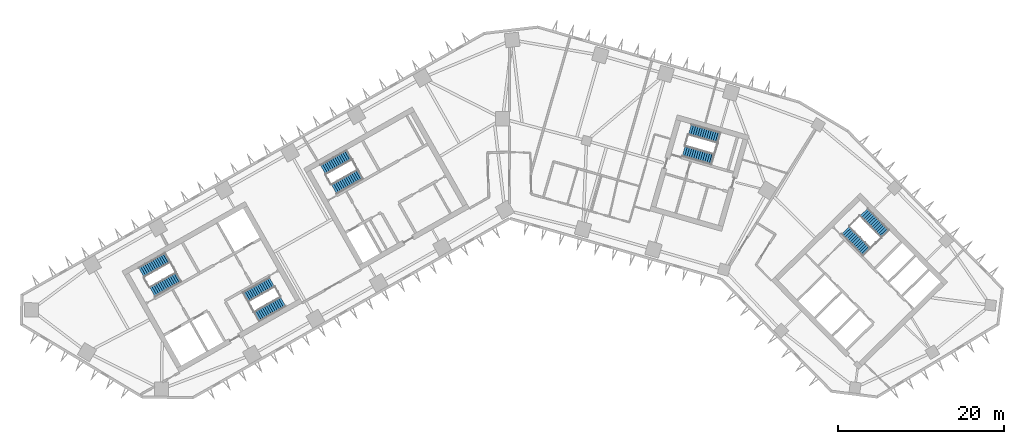
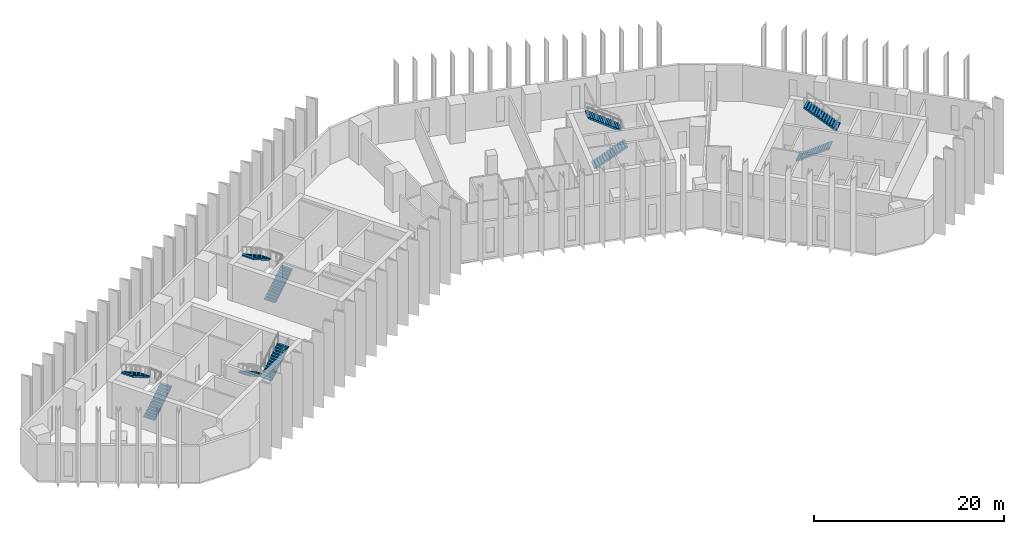
# One storey, part 8 of 11: 10 stair flights, 5 elements without a shape of their own.
"""IFC4 building model written with IfcOpenShell, lengths in metres."""

from ifc_helpers import new_model, si_unit, direction, frame, origin, place, context, subcontext, project, spatial, polyline, outline, extrude, material, type_object, element, aggregate, save


model = new_model("IFC4")

# Units and contexts
model_context = context("Model", 3, precision=1e-05, world=origin(), true_north=direction((0.0, 1.0)))
body_context = subcontext(model_context, "Body", "Model", "MODEL_VIEW")
ifc_project = project(units=[si_unit("LENGTHUNIT", "METRE"), si_unit("AREAUNIT", "SQUARE_METRE"), si_unit("VOLUMEUNIT", "CUBIC_METRE"), si_unit("PLANEANGLEUNIT", "RADIAN"), si_unit("MASSUNIT", "GRAM", prefix="KILO")], contexts=[model_context])

# Site, building, storey
site_placement = place(None, origin())
site = spatial("IfcSite", under=ifc_project, at=site_placement, CompositionType="ELEMENT")
building_placement = place(site_placement, origin())
building = spatial("IfcBuilding", under=site, at=building_placement, Name="Binnacle Exchange Tower", CompositionType="ELEMENT")
storey_placement = place(building_placement, frame((0.0, 0.0, 76.5)))
storey = spatial("IfcBuildingStorey", under=building, at=storey_placement, Name="L15", CompositionType="ELEMENT", Elevation=76.5)

# Stair, stair flights
ifc_material = material(Name="Concrete C35/45", Category="concrete")
stair_type = type_object("IfcStairType", Name="STAIR 28 RISERS 179", PredefinedType="HALF_TURN_STAIR", material=ifc_material)
stair_1_placement = place(storey_placement, origin())
stair_1 = element("IfcStair", 1, at=stair_1_placement, inside=storey, type_object=stair_type, Name="L15 Escape stair A1", PredefinedType="HALF_TURN_STAIR")
stair_flight_type = type_object("IfcStairFlightType", Name="STAIR FLIGHT 179X280", PredefinedType="STRAIGHT", material=ifc_material)
stair_flight_1_placement = place(storey_placement, frame((-42.9541015625, 39.17333984375, 0.0), z_axis=(0.0, 0.0, 1.0), x_axis=(0.870355584213, 0.492423757581, 0.0)))
stair_flight_1 = element("IfcStairFlight", 2, at=stair_flight_1_placement, type_object=stair_flight_type, Name="STA1 flight 1", NumberOfRisers=14, NumberOfTreads=13, PredefinedType="STRAIGHT", RiserHeight=0.178571429, TreadLength=0.28, context=body_context, shape_type="SweptSolid", body=[
    extrude(outline(polyline([(0.0, 0.0), (0.0, 0.178466796875), (0.280029296875, 0.178466796875), (0.280029296875, 0.357177734375), (0.56005859375, 0.357177734375), (0.56005859375, 0.53564453125), (0.840087890625, 0.53564453125), (0.840087890625, 0.71435546875), (1.1201171875, 0.71435546875), (1.1201171875, 0.892822265625), (1.39990234375, 0.892822265625), (1.39990234375, 1.071533203125), (1.679931640625, 1.071533203125), (1.679931640625, 1.25), (1.9599609375, 1.25), (1.9599609375, 1.428466796875), (2.239990234375, 1.428466796875), (2.239990234375, 1.607177734375), (2.52001953125, 1.607177734375), (2.52001953125, 1.78564453125), (2.800048828125, 1.78564453125), (2.800048828125, 1.96435546875), (3.080078125, 1.96435546875), (3.080078125, 2.142822265625), (3.360107421875, 2.142822265625), (3.360107421875, 2.321533203125), (3.639892578125, 2.321533203125), (3.639892578125, 2.5), (3.639892578125, 2.1435546875), (0.27880859375, 0.0), (0.0, 0.0)])), frame((0.0, 0.675048828125, 0.0), z_axis=(0.0, -1.0, 0.0), x_axis=(1.0, 0.0, 0.0)), (0.0, 0.0, 1.0), 1.35009765625),
])
stair_flight_2_placement = place(storey_placement, frame((-41.115478515625, 43.315673828125, 2.5), z_axis=(0.0, 0.0, 1.0), x_axis=(-0.870355584213, -0.492423757581, 0.0)))
stair_flight_2 = element("IfcStairFlight", 3, at=stair_flight_2_placement, type_object=stair_flight_type, Name="STA1 flight 2", NumberOfRisers=14, NumberOfTreads=13, PredefinedType="STRAIGHT", RiserHeight=0.178571429, TreadLength=0.28, context=body_context, shape_type="SweptSolid", body=[
    extrude(outline(polyline([(0.0, 0.0), (0.0, 0.178466796875), (0.280029296875, 0.178466796875), (0.280029296875, 0.357177734375), (0.56005859375, 0.357177734375), (0.56005859375, 0.53564453125), (0.840087890625, 0.53564453125), (0.840087890625, 0.71435546875), (1.1201171875, 0.71435546875), (1.1201171875, 0.892822265625), (1.39990234375, 0.892822265625), (1.39990234375, 1.071533203125), (1.679931640625, 1.071533203125), (1.679931640625, 1.25), (1.9599609375, 1.25), (1.9599609375, 1.428466796875), (2.239990234375, 1.428466796875), (2.239990234375, 1.607177734375), (2.52001953125, 1.607177734375), (2.52001953125, 1.78564453125), (2.800048828125, 1.78564453125), (2.800048828125, 1.96435546875), (3.080078125, 1.96435546875), (3.080078125, 2.142822265625), (3.360107421875, 2.142822265625), (3.360107421875, 2.321533203125), (3.639892578125, 2.321533203125), (3.639892578125, 2.5), (3.639892578125, 2.1435546875), (0.27880859375, 0.0), (0.0, 0.0)])), frame((0.0, 0.675048828125, 0.0), z_axis=(0.0, -1.0, 0.0), x_axis=(1.0, 0.0, 0.0)), (0.0, 0.0, 1.0), 1.35009765625),
])
aggregate(stair_1, [stair_flight_1, stair_flight_2])

stair_2_placement = place(storey_placement, origin())
stair_2 = element("IfcStair", 4, at=stair_2_placement, inside=storey, type_object=stair_type, Name="L15 Escape stair A2", PredefinedType="HALF_TURN_STAIR")
stair_flight_3_placement = place(storey_placement, frame((-28.5732421875, 40.3583984375, 0.0), z_axis=(0.0, 0.0, 1.0), x_axis=(-0.870355584213, -0.492423757581, 0.0)))
stair_flight_3 = element("IfcStairFlight", 5, at=stair_flight_3_placement, type_object=stair_flight_type, Name="STA2 flight 1", NumberOfRisers=14, NumberOfTreads=13, PredefinedType="STRAIGHT", RiserHeight=0.178571429, TreadLength=0.28, context=body_context, shape_type="SweptSolid", body=[
    extrude(outline(polyline([(0.0, 0.0), (0.0, 0.178466796875), (0.280029296875, 0.178466796875), (0.280029296875, 0.357177734375), (0.56005859375, 0.357177734375), (0.56005859375, 0.53564453125), (0.840087890625, 0.53564453125), (0.840087890625, 0.71435546875), (1.1201171875, 0.71435546875), (1.1201171875, 0.892822265625), (1.39990234375, 0.892822265625), (1.39990234375, 1.071533203125), (1.679931640625, 1.071533203125), (1.679931640625, 1.25), (1.9599609375, 1.25), (1.9599609375, 1.428466796875), (2.239990234375, 1.428466796875), (2.239990234375, 1.607177734375), (2.52001953125, 1.607177734375), (2.52001953125, 1.78564453125), (2.800048828125, 1.78564453125), (2.800048828125, 1.96435546875), (3.080078125, 1.96435546875), (3.080078125, 2.142822265625), (3.360107421875, 2.142822265625), (3.360107421875, 2.321533203125), (3.639892578125, 2.321533203125), (3.639892578125, 2.5), (3.639892578125, 2.1435546875), (0.27880859375, 0.0), (0.0, 0.0)])), frame((0.0, 0.675048828125, 0.0), z_axis=(0.0, -1.0, 0.0), x_axis=(1.0, 0.0, 0.0)), (0.0, 0.0, 1.0), 1.35009765625),
])
stair_flight_4_placement = place(storey_placement, frame((-30.411865234375, 36.216064453125, 2.5), z_axis=(0.0, 0.0, 1.0), x_axis=(0.870355584213, 0.492423757581, 0.0)))
stair_flight_4 = element("IfcStairFlight", 6, at=stair_flight_4_placement, type_object=stair_flight_type, Name="STA2 flight 2", NumberOfRisers=14, NumberOfTreads=13, PredefinedType="STRAIGHT", RiserHeight=0.178571429, TreadLength=0.28, context=body_context, shape_type="SweptSolid", body=[
    extrude(outline(polyline([(0.0, 0.0), (0.0, 0.178466796875), (0.280029296875, 0.178466796875), (0.280029296875, 0.357177734375), (0.56005859375, 0.357177734375), (0.56005859375, 0.53564453125), (0.840087890625, 0.53564453125), (0.840087890625, 0.71435546875), (1.1201171875, 0.71435546875), (1.1201171875, 0.892822265625), (1.39990234375, 0.892822265625), (1.39990234375, 1.071533203125), (1.679931640625, 1.071533203125), (1.679931640625, 1.25), (1.9599609375, 1.25), (1.9599609375, 1.428466796875), (2.239990234375, 1.428466796875), (2.239990234375, 1.607177734375), (2.52001953125, 1.607177734375), (2.52001953125, 1.78564453125), (2.800048828125, 1.78564453125), (2.800048828125, 1.96435546875), (3.080078125, 1.96435546875), (3.080078125, 2.142822265625), (3.360107421875, 2.142822265625), (3.360107421875, 2.321533203125), (3.639892578125, 2.321533203125), (3.639892578125, 2.5), (3.639892578125, 2.1435546875), (0.27880859375, 0.0), (0.0, 0.0)])), frame((0.0, 0.675048828125, 0.0), z_axis=(0.0, -1.0, 0.0), x_axis=(1.0, 0.0, 0.0)), (0.0, 0.0, 1.0), 1.35009765625),
])
aggregate(stair_2, [stair_flight_3, stair_flight_4])

stair_3_placement = place(storey_placement, origin())
stair_3 = element("IfcStair", 7, at=stair_3_placement, inside=storey, type_object=stair_type, Name="L15 Escape stair B1", PredefinedType="HALF_TURN_STAIR")
stair_flight_5_placement = place(storey_placement, frame((40.376708984375, 46.608642578125, 0.0), z_axis=(0.0, 0.0, 1.0), x_axis=(0.70090935144, -0.713250363522, 0.0)))
stair_flight_5 = element("IfcStairFlight", 8, at=stair_flight_5_placement, type_object=stair_flight_type, Name="STB1 flight 1", NumberOfRisers=14, NumberOfTreads=13, PredefinedType="STRAIGHT", RiserHeight=0.178571429, TreadLength=0.28, context=body_context, shape_type="SweptSolid", body=[
    extrude(outline(polyline([(0.0, 0.0), (0.0, 0.178466796875), (0.280029296875, 0.178466796875), (0.280029296875, 0.357177734375), (0.56005859375, 0.357177734375), (0.56005859375, 0.53564453125), (0.840087890625, 0.53564453125), (0.840087890625, 0.71435546875), (1.1201171875, 0.71435546875), (1.1201171875, 0.892822265625), (1.39990234375, 0.892822265625), (1.39990234375, 1.071533203125), (1.679931640625, 1.071533203125), (1.679931640625, 1.25), (1.9599609375, 1.25), (1.9599609375, 1.428466796875), (2.239990234375, 1.428466796875), (2.239990234375, 1.607177734375), (2.52001953125, 1.607177734375), (2.52001953125, 1.78564453125), (2.800048828125, 1.78564453125), (2.800048828125, 1.96435546875), (3.080078125, 1.96435546875), (3.080078125, 2.142822265625), (3.360107421875, 2.142822265625), (3.360107421875, 2.321533203125), (3.639892578125, 2.321533203125), (3.639892578125, 2.5), (3.639892578125, 2.1435546875), (0.27880859375, 0.0), (0.0, 0.0)])), frame((0.0, 0.675048828125, 0.0), z_axis=(0.0, -1.0, 0.0), x_axis=(1.0, 0.0, 0.0)), (0.0, 0.0, 1.0), 1.35009765625),
])
stair_flight_6_placement = place(storey_placement, frame((45.13916015625, 46.185302734375, 2.5), z_axis=(0.0, 0.0, 1.0), x_axis=(-0.70090935144, 0.713250363522, 0.0)))
stair_flight_6 = element("IfcStairFlight", 9, at=stair_flight_6_placement, type_object=stair_flight_type, Name="STB1 flight 2", NumberOfRisers=14, NumberOfTreads=13, PredefinedType="STRAIGHT", RiserHeight=0.178571429, TreadLength=0.28, context=body_context, shape_type="SweptSolid", body=[
    extrude(outline(polyline([(0.0, 0.0), (0.0, 0.178466796875), (0.280029296875, 0.178466796875), (0.280029296875, 0.357177734375), (0.56005859375, 0.357177734375), (0.56005859375, 0.53564453125), (0.840087890625, 0.53564453125), (0.840087890625, 0.71435546875), (1.1201171875, 0.71435546875), (1.1201171875, 0.892822265625), (1.39990234375, 0.892822265625), (1.39990234375, 1.071533203125), (1.679931640625, 1.071533203125), (1.679931640625, 1.25), (1.9599609375, 1.25), (1.9599609375, 1.428466796875), (2.239990234375, 1.428466796875), (2.239990234375, 1.607177734375), (2.52001953125, 1.607177734375), (2.52001953125, 1.78564453125), (2.800048828125, 1.78564453125), (2.800048828125, 1.96435546875), (3.080078125, 1.96435546875), (3.080078125, 2.142822265625), (3.360107421875, 2.142822265625), (3.360107421875, 2.321533203125), (3.639892578125, 2.321533203125), (3.639892578125, 2.5), (3.639892578125, 2.1435546875), (0.27880859375, 0.0), (0.0, 0.0)])), frame((0.0, 0.675048828125, 0.0), z_axis=(0.0, -1.0, 0.0), x_axis=(1.0, 0.0, 0.0)), (0.0, 0.0, 1.0), 1.35009765625),
])
aggregate(stair_3, [stair_flight_5, stair_flight_6])

stair_4_placement = place(storey_placement, origin())
stair_4 = element("IfcStair", 10, at=stair_4_placement, inside=storey, type_object=stair_type, Name="L15 Escape stair C1", PredefinedType="HALF_TURN_STAIR")
stair_flight_7_placement = place(storey_placement, frame((-21.115966796875, 51.528564453125, 0.0), z_axis=(0.0, 0.0, 1.0), x_axis=(0.870355584213, 0.492423757581, 0.0)))
stair_flight_7 = element("IfcStairFlight", 11, at=stair_flight_7_placement, type_object=stair_flight_type, Name="STC1 flight 1", NumberOfRisers=14, NumberOfTreads=13, PredefinedType="STRAIGHT", RiserHeight=0.178571429, TreadLength=0.28, context=body_context, shape_type="SweptSolid", body=[
    extrude(outline(polyline([(0.0, 0.0), (0.0, 0.178466796875), (0.280029296875, 0.178466796875), (0.280029296875, 0.357177734375), (0.56005859375, 0.357177734375), (0.56005859375, 0.53564453125), (0.840087890625, 0.53564453125), (0.840087890625, 0.71435546875), (1.1201171875, 0.71435546875), (1.1201171875, 0.892822265625), (1.39990234375, 0.892822265625), (1.39990234375, 1.071533203125), (1.679931640625, 1.071533203125), (1.679931640625, 1.25), (1.9599609375, 1.25), (1.9599609375, 1.428466796875), (2.239990234375, 1.428466796875), (2.239990234375, 1.607177734375), (2.52001953125, 1.607177734375), (2.52001953125, 1.78564453125), (2.800048828125, 1.78564453125), (2.800048828125, 1.96435546875), (3.080078125, 1.96435546875), (3.080078125, 2.142822265625), (3.360107421875, 2.142822265625), (3.360107421875, 2.321533203125), (3.639892578125, 2.321533203125), (3.639892578125, 2.5), (3.639892578125, 2.1435546875), (0.27880859375, 0.0), (0.0, 0.0)])), frame((0.0, 0.675048828125, 0.0), z_axis=(0.0, -1.0, 0.0), x_axis=(1.0, 0.0, 0.0)), (0.0, 0.0, 1.0), 1.35009765625),
])
stair_flight_8_placement = place(storey_placement, frame((-19.27734375, 55.671142578125, 2.5), z_axis=(0.0, 0.0, 1.0), x_axis=(-0.870355584213, -0.492423757581, 0.0)))
stair_flight_8 = element("IfcStairFlight", 12, at=stair_flight_8_placement, type_object=stair_flight_type, Name="STC1 flight 2", NumberOfRisers=14, NumberOfTreads=13, PredefinedType="STRAIGHT", RiserHeight=0.178571429, TreadLength=0.28, context=body_context, shape_type="SweptSolid", body=[
    extrude(outline(polyline([(0.0, 0.0), (0.0, 0.178466796875), (0.280029296875, 0.178466796875), (0.280029296875, 0.357177734375), (0.56005859375, 0.357177734375), (0.56005859375, 0.53564453125), (0.840087890625, 0.53564453125), (0.840087890625, 0.71435546875), (1.1201171875, 0.71435546875), (1.1201171875, 0.892822265625), (1.39990234375, 0.892822265625), (1.39990234375, 1.071533203125), (1.679931640625, 1.071533203125), (1.679931640625, 1.25), (1.9599609375, 1.25), (1.9599609375, 1.428466796875), (2.239990234375, 1.428466796875), (2.239990234375, 1.607177734375), (2.52001953125, 1.607177734375), (2.52001953125, 1.78564453125), (2.800048828125, 1.78564453125), (2.800048828125, 1.96435546875), (3.080078125, 1.96435546875), (3.080078125, 2.142822265625), (3.360107421875, 2.142822265625), (3.360107421875, 2.321533203125), (3.639892578125, 2.321533203125), (3.639892578125, 2.5), (3.639892578125, 2.1435546875), (0.27880859375, 0.0), (0.0, 0.0)])), frame((0.0, 0.675048828125, 0.0), z_axis=(0.0, -1.0, 0.0), x_axis=(1.0, 0.0, 0.0)), (0.0, 0.0, 1.0), 1.35009765625),
])
aggregate(stair_4, [stair_flight_7, stair_flight_8])

stair_5_placement = place(storey_placement, origin())
stair_5 = element("IfcStair", 13, at=stair_5_placement, inside=storey, type_object=stair_type, Name="L15 Escape stair D1", PredefinedType="HALF_TURN_STAIR")
stair_flight_9_placement = place(storey_placement, frame((20.914306640625, 56.109619140625, 0.0), z_axis=(0.0, 0.0, 1.0), x_axis=(0.961261811397, -0.275636953165, 0.0)))
stair_flight_9 = element("IfcStairFlight", 14, at=stair_flight_9_placement, type_object=stair_flight_type, Name="STD1 flight 1", NumberOfRisers=14, NumberOfTreads=13, PredefinedType="STRAIGHT", RiserHeight=0.178571429, TreadLength=0.28, context=body_context, shape_type="SweptSolid", body=[
    extrude(outline(polyline([(0.0, 0.0), (0.0, 0.178466796875), (0.280029296875, 0.178466796875), (0.280029296875, 0.357177734375), (0.56005859375, 0.357177734375), (0.56005859375, 0.53564453125), (0.840087890625, 0.53564453125), (0.840087890625, 0.71435546875), (1.1201171875, 0.71435546875), (1.1201171875, 0.892822265625), (1.39990234375, 0.892822265625), (1.39990234375, 1.071533203125), (1.679931640625, 1.071533203125), (1.679931640625, 1.25), (1.9599609375, 1.25), (1.9599609375, 1.428466796875), (2.239990234375, 1.428466796875), (2.239990234375, 1.607177734375), (2.52001953125, 1.607177734375), (2.52001953125, 1.78564453125), (2.800048828125, 1.78564453125), (2.800048828125, 1.96435546875), (3.080078125, 1.96435546875), (3.080078125, 2.142822265625), (3.360107421875, 2.142822265625), (3.360107421875, 2.321533203125), (3.639892578125, 2.321533203125), (3.639892578125, 2.5), (3.639892578125, 2.1435546875), (0.27880859375, 0.0), (0.0, 0.0)])), frame((0.0, 0.675048828125, 0.0), z_axis=(0.0, -1.0, 0.0), x_axis=(1.0, 0.0, 0.0)), (0.0, 0.0, 1.0), 1.35009765625),
])
stair_flight_10_placement = place(storey_placement, frame((25.157470703125, 57.70166015625, 2.5), z_axis=(0.0, 0.0, 1.0), x_axis=(-0.961261811397, 0.275636953165, 0.0)))
stair_flight_10 = element("IfcStairFlight", 15, at=stair_flight_10_placement, type_object=stair_flight_type, Name="STD1 flight 2", NumberOfRisers=14, NumberOfTreads=13, PredefinedType="STRAIGHT", RiserHeight=0.178571429, TreadLength=0.28, context=body_context, shape_type="SweptSolid", body=[
    extrude(outline(polyline([(0.0, 0.0), (0.0, 0.178466796875), (0.280029296875, 0.178466796875), (0.280029296875, 0.357177734375), (0.56005859375, 0.357177734375), (0.56005859375, 0.53564453125), (0.840087890625, 0.53564453125), (0.840087890625, 0.71435546875), (1.1201171875, 0.71435546875), (1.1201171875, 0.892822265625), (1.39990234375, 0.892822265625), (1.39990234375, 1.071533203125), (1.679931640625, 1.071533203125), (1.679931640625, 1.25), (1.9599609375, 1.25), (1.9599609375, 1.428466796875), (2.239990234375, 1.428466796875), (2.239990234375, 1.607177734375), (2.52001953125, 1.607177734375), (2.52001953125, 1.78564453125), (2.800048828125, 1.78564453125), (2.800048828125, 1.96435546875), (3.080078125, 1.96435546875), (3.080078125, 2.142822265625), (3.360107421875, 2.142822265625), (3.360107421875, 2.321533203125), (3.639892578125, 2.321533203125), (3.639892578125, 2.5), (3.639892578125, 2.1435546875), (0.27880859375, 0.0), (0.0, 0.0)])), frame((0.0, 0.675048828125, 0.0), z_axis=(0.0, -1.0, 0.0), x_axis=(1.0, 0.0, 0.0)), (0.0, 0.0, 1.0), 1.35009765625),
])
aggregate(stair_5, [stair_flight_9, stair_flight_10])

save(model, "model.ifc")
